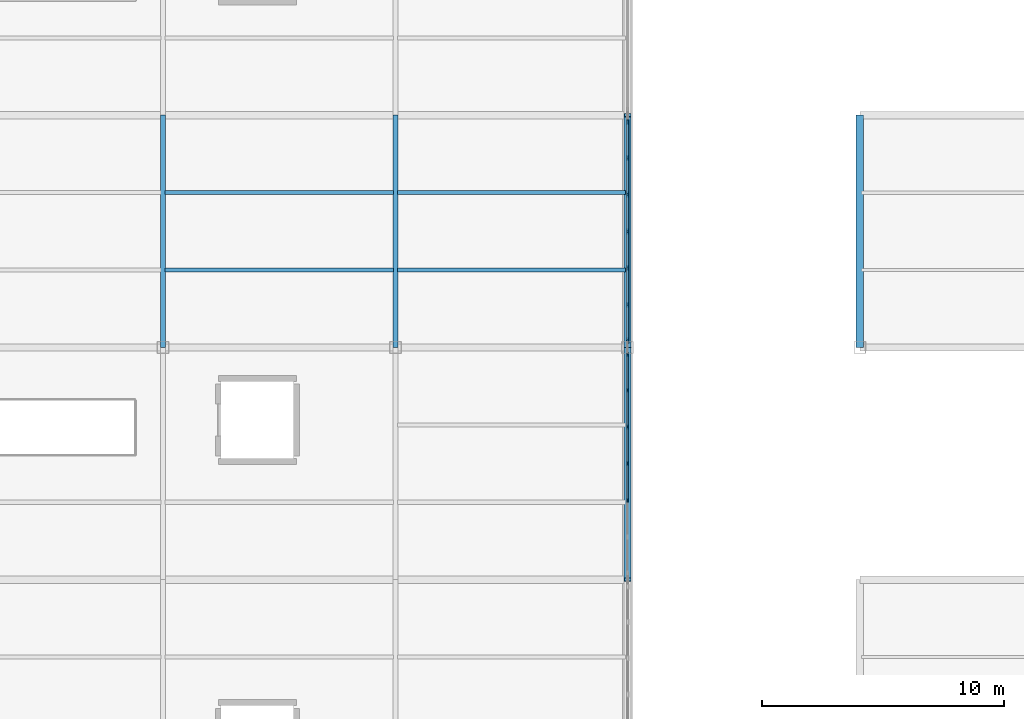
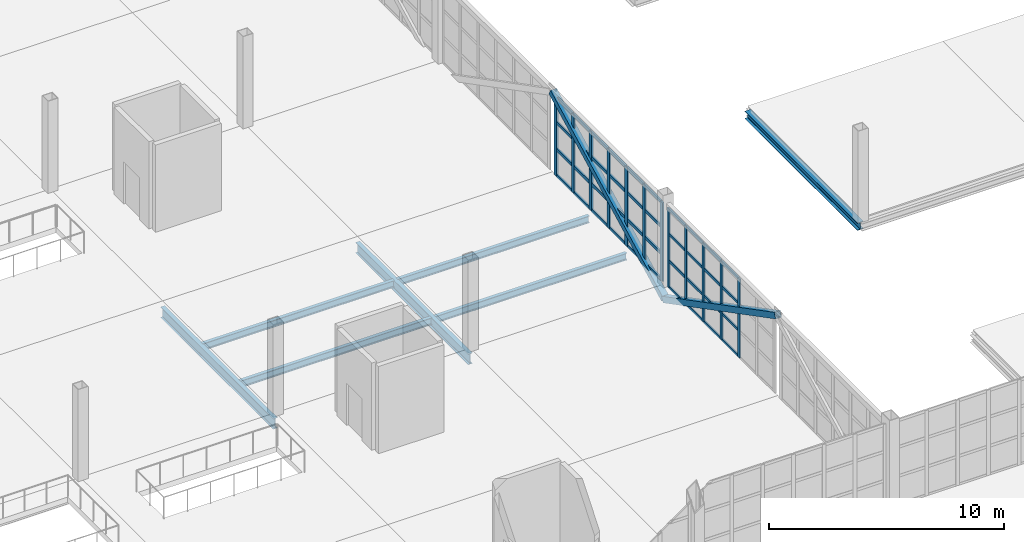
# One storey, part 49 of 120: 54 members, 7 beams, 2 elements without a shape of their own.
"""IFC4 building model written with IfcOpenShell, lengths in metres."""

from ifc_helpers import new_model, si_unit, direction, frame, origin, origin_2d, place, context, subcontext, project, spatial, rectangle, hollow_rectangle, i_section, extrude, material, layer, layer_set, material_profile, profile_set, type_object, element, aggregate, save


model = new_model("IFC4")

# Units and contexts
model_context = context("Model", 3, precision=1e-05, world=origin(), true_north=direction((0.0, 1.0)))
body_context = subcontext(model_context, "Body", "Model", "MODEL_VIEW")
ifc_project = project(units=[si_unit("LENGTHUNIT", "METRE"), si_unit("AREAUNIT", "SQUARE_METRE"), si_unit("VOLUMEUNIT", "CUBIC_METRE"), si_unit("PLANEANGLEUNIT", "RADIAN"), si_unit("MASSUNIT", "GRAM", prefix="KILO")], contexts=[model_context])

# Site, building, storey
site_placement = place(None, origin())
site = spatial("IfcSite", under=ifc_project, at=site_placement, CompositionType="ELEMENT")
building_placement = place(site_placement, origin())
building = spatial("IfcBuilding", under=site, at=building_placement, Name="Zarnetskaya Central Station", CompositionType="ELEMENT")
storey_placement = place(building_placement, frame((0.0, 0.0, 5.39990234375)))
storey = spatial("IfcBuildingStorey", under=building, at=storey_placement, Name="L01", CompositionType="ELEMENT", Elevation=5.39990234375)

# Beams
ifc_material_1 = material(Name="Steel S355", Category="steel")
ifc_material_profile_1 = material_profile(ifc_material_1, i_section(OverallWidth=0.169921875, OverallDepth=0.360107421875, WebThickness=0.008056640625, FlangeThickness=0.0126953125, FilletRadius=0.01806640625, at=origin_2d()), Name="IPE 360")
ifc_profile_set_1 = profile_set([ifc_material_profile_1], Name="Steel S355")
beam_type_1 = type_object("IfcBeamType", Name="BM-SEC-360", PredefinedType="BEAM", material=ifc_profile_set_1)
for number, where, z_axis, x_axis, name in (
    (1, (96.080078125, 89.60009765625, -0.4599609375), (1.0, 0.0, 0.0), (0.0, 1.0, 0.0), "Secondary floor beam SEC-L01-Z512-LM-1112-1"),
    (2, (96.080078125, 92.800048828125, -0.4599609375), (1.0, 0.0, 0.0), (0.0, 1.0, 0.0), "Secondary floor beam SEC-L01-Z512-LM-1112-2"),
):
    element("IfcBeam", number, at=place(storey_placement, frame(where, z_axis=z_axis, x_axis=x_axis)), inside=storey, type_object=beam_type_1, Name=name, PredefinedType="BEAM", context=body_context, shape_type="SweptSolid", body=[
        extrude(i_section(OverallWidth=0.169921875, OverallDepth=0.360107421875, WebThickness=0.008056640625, FlangeThickness=0.0126953125, FilletRadius=0.01806640625, at=origin_2d()), origin(), (0.0, 0.0, 1.0), 9.43994140625),
    ])
for number, where, z_axis, x_axis, name in (
    (3, (105.679931640625, 89.60009765625, -0.4599609375), (1.0, 0.0, 0.0), (0.0, 1.0, 0.0), "Secondary floor beam SEC-L01-Z512-MN-1112-1"),
    (4, (105.679931640625, 92.800048828125, -0.4599609375), (1.0, 0.0, 0.0), (0.0, 1.0, 0.0), "Secondary floor beam SEC-L01-Z512-MN-1112-2"),
):
    element("IfcBeam", number, at=place(storey_placement, frame(where, z_axis=z_axis, x_axis=x_axis)), inside=storey, type_object=beam_type_1, Name=name, PredefinedType="BEAM", context=body_context, shape_type="SweptSolid", body=[
        extrude(i_section(OverallWidth=0.169921875, OverallDepth=0.360107421875, WebThickness=0.008056640625, FlangeThickness=0.0126953125, FilletRadius=0.01806640625, at=origin_2d()), origin(), (0.0, 0.0, 1.0), 9.440185546875),
    ])

# Curtain wall, members
ifc_material_2 = material(Name="Low-E insulated glass", Category="glass")
ifc_layer = layer(ifc_material_2, 0.172119140625, Name="Low-E insulated glass", Category="glass")
ifc_layer_set = layer_set([ifc_layer], Name="Low-E insulated glass")
curtain_wall_type = type_object("IfcCurtainWallType", Name="CW-SYS-09", PredefinedType="USERDEFINED", material=ifc_layer_set)
curtain_wall_1_placement = place(storey_placement, origin())
curtain_wall_1 = element("IfcCurtainWall", 5, at=curtain_wall_1_placement, inside=storey, type_object=curtain_wall_type, Name="Curtain wall CW-L01-161", ObjectType="CURTAIN WALL", PredefinedType="USERDEFINED")
ifc_material_3 = material(Name="Anodised aluminium", Category="aluminium")
ifc_material_profile_2 = material_profile(ifc_material_3, rectangle(XDim=0.070068359375, YDim=0.179931640625, at=origin_2d()), Name="ALU MULL 70x180")
ifc_profile_set_2 = profile_set([ifc_material_profile_2], Name="Anodised aluminium")
member_type_1 = type_object("IfcMemberType", Name="CW-MULL-180", PredefinedType="MULLION", material=ifc_profile_set_2)
member_1_placement = place(storey_placement, frame((115.199951171875, 86.114990234375, 0.0), z_axis=(0.0, 0.0, 1.0), x_axis=(1.0, 0.0, 0.0)))
member_1 = element("IfcMember", 6, at=member_1_placement, type_object=member_type_1, Name="CW-07 mullion 1", PredefinedType="MULLION", context=body_context, shape_type="SweptSolid", body=[
    extrude(rectangle(XDim=0.070068359375, YDim=0.179931640625, at=origin_2d()), origin(), (0.0, 0.0, 1.0), 4.10009765625),
])
member_2_placement = place(storey_placement, frame((115.199951171875, 84.63330078125, 0.0), z_axis=(0.0, 0.0, 1.0), x_axis=(1.0, 0.0, 0.0)))
member_2 = element("IfcMember", 7, at=member_2_placement, type_object=member_type_1, Name="CW-07 mullion 2", PredefinedType="MULLION", context=body_context, shape_type="SweptSolid", body=[
    extrude(rectangle(XDim=0.070068359375, YDim=0.179931640625, at=origin_2d()), origin(), (0.0, 0.0, 1.0), 4.10009765625),
])
member_3_placement = place(storey_placement, frame((115.199951171875, 83.11669921875, 0.0), z_axis=(0.0, 0.0, 1.0), x_axis=(1.0, 0.0, 0.0)))
member_3 = element("IfcMember", 8, at=member_3_placement, type_object=member_type_1, Name="CW-07 mullion 3", PredefinedType="MULLION", context=body_context, shape_type="SweptSolid", body=[
    extrude(rectangle(XDim=0.070068359375, YDim=0.179931640625, at=origin_2d()), origin(), (0.0, 0.0, 1.0), 4.10009765625),
])
member_4_placement = place(storey_placement, frame((115.199951171875, 81.60009765625, 0.0), z_axis=(0.0, 0.0, 1.0), x_axis=(1.0, 0.0, 0.0)))
member_4 = element("IfcMember", 9, at=member_4_placement, type_object=member_type_1, Name="CW-07 mullion 4", PredefinedType="MULLION", context=body_context, shape_type="SweptSolid", body=[
    extrude(rectangle(XDim=0.070068359375, YDim=0.179931640625, at=origin_2d()), origin(), (0.0, 0.0, 1.0), 4.10009765625),
])
member_5_placement = place(storey_placement, frame((115.199951171875, 80.083251953125, 0.0), z_axis=(0.0, 0.0, 1.0), x_axis=(1.0, 0.0, 0.0)))
member_5 = element("IfcMember", 10, at=member_5_placement, type_object=member_type_1, Name="CW-07 mullion 5", PredefinedType="MULLION", context=body_context, shape_type="SweptSolid", body=[
    extrude(rectangle(XDim=0.070068359375, YDim=0.179931640625, at=origin_2d()), origin(), (0.0, 0.0, 1.0), 4.10009765625),
])

curtain_wall_2_placement = place(storey_placement, origin())
curtain_wall_2 = element("IfcCurtainWall", 11, at=curtain_wall_2_placement, inside=storey, type_object=curtain_wall_type, Name="Curtain wall CW-L01-160", ObjectType="CURTAIN WALL", PredefinedType="USERDEFINED")
ifc_material_profile_3 = material_profile(ifc_material_3, rectangle(XDim=0.080078125, YDim=0.219970703125, at=origin_2d()), Name="ALU MULL 80x220")
ifc_profile_set_3 = profile_set([ifc_material_profile_3], Name="Anodised aluminium")
member_type_2 = type_object("IfcMemberType", Name="CW-MULL-220", PredefinedType="MULLION", material=ifc_profile_set_3)
member_6_placement = place(storey_placement, frame((115.199951171875, 95.7099609375, 0.0), z_axis=(0.0, 0.0, 1.0), x_axis=(1.0, 0.0, 0.0)))
member_6 = element("IfcMember", 12, at=member_6_placement, type_object=member_type_2, Name="CW-07 mullion 1", PredefinedType="MULLION", context=body_context, shape_type="SweptSolid", body=[
    extrude(rectangle(XDim=0.080078125, YDim=0.219970703125, at=origin_2d()), origin(), (0.0, 0.0, 1.0), 4.10009765625),
])
member_7_placement = place(storey_placement, frame((115.199951171875, 94.2333984375, 0.0), z_axis=(0.0, 0.0, 1.0), x_axis=(1.0, 0.0, 0.0)))
member_7 = element("IfcMember", 13, at=member_7_placement, type_object=member_type_2, Name="CW-07 mullion 2", PredefinedType="MULLION", context=body_context, shape_type="SweptSolid", body=[
    extrude(rectangle(XDim=0.080078125, YDim=0.219970703125, at=origin_2d()), origin(), (0.0, 0.0, 1.0), 4.10009765625),
])
member_8_placement = place(storey_placement, frame((115.199951171875, 92.716552734375, 0.0), z_axis=(0.0, 0.0, 1.0), x_axis=(1.0, 0.0, 0.0)))
member_8 = element("IfcMember", 14, at=member_8_placement, type_object=member_type_2, Name="CW-07 mullion 3", PredefinedType="MULLION", context=body_context, shape_type="SweptSolid", body=[
    extrude(rectangle(XDim=0.080078125, YDim=0.219970703125, at=origin_2d()), origin(), (0.0, 0.0, 1.0), 4.10009765625),
])
member_9_placement = place(storey_placement, frame((115.199951171875, 91.199951171875, 0.0), z_axis=(0.0, 0.0, 1.0), x_axis=(1.0, 0.0, 0.0)))
member_9 = element("IfcMember", 15, at=member_9_placement, type_object=member_type_2, Name="CW-07 mullion 4", PredefinedType="MULLION", context=body_context, shape_type="SweptSolid", body=[
    extrude(rectangle(XDim=0.080078125, YDim=0.219970703125, at=origin_2d()), origin(), (0.0, 0.0, 1.0), 4.10009765625),
])
member_10_placement = place(storey_placement, frame((115.199951171875, 89.683349609375, 0.0), z_axis=(0.0, 0.0, 1.0), x_axis=(1.0, 0.0, 0.0)))
member_10 = element("IfcMember", 16, at=member_10_placement, type_object=member_type_2, Name="CW-07 mullion 5", PredefinedType="MULLION", context=body_context, shape_type="SweptSolid", body=[
    extrude(rectangle(XDim=0.080078125, YDim=0.219970703125, at=origin_2d()), origin(), (0.0, 0.0, 1.0), 4.10009765625),
])
member_11_placement = place(storey_placement, frame((115.199951171875, 88.166748046875, 0.0), z_axis=(0.0, 0.0, 1.0), x_axis=(1.0, 0.0, 0.0)))
member_11 = element("IfcMember", 17, at=member_11_placement, type_object=member_type_2, Name="CW-07 mullion 6", PredefinedType="MULLION", context=body_context, shape_type="SweptSolid", body=[
    extrude(rectangle(XDim=0.080078125, YDim=0.219970703125, at=origin_2d()), origin(), (0.0, 0.0, 1.0), 4.10009765625),
])
member_12_placement = place(storey_placement, frame((115.199951171875, 86.68994140625, 0.0), z_axis=(0.0, 0.0, 1.0), x_axis=(1.0, 0.0, 0.0)))
member_12 = element("IfcMember", 18, at=member_12_placement, type_object=member_type_2, Name="CW-07 mullion 7", PredefinedType="MULLION", context=body_context, shape_type="SweptSolid", body=[
    extrude(rectangle(XDim=0.080078125, YDim=0.219970703125, at=origin_2d()), origin(), (0.0, 0.0, 1.0), 4.10009765625),
])

# Member
ifc_material_profile_4 = material_profile(ifc_material_3, rectangle(XDim=0.070068359375, YDim=0.139892578125, at=origin_2d()), Name="ALU TRAN 70x140")
ifc_profile_set_4 = profile_set([ifc_material_profile_4], Name="Anodised aluminium")
member_type_3 = type_object("IfcMemberType", Name="CW-TRAN-140", PredefinedType="USERDEFINED", material=ifc_profile_set_4)
member_13_placement = place(storey_placement, frame((115.199951171875, 86.080078125, 0.03515625), z_axis=(0.0, -1.0, 0.0), x_axis=(1.0, 0.0, 0.0)))
member_13 = element("IfcMember", 19, at=member_13_placement, type_object=member_type_3, Name="CW-07 transom 1.1", ObjectType="TRANSOM", PredefinedType="USERDEFINED", context=body_context, shape_type="SweptSolid", body=[
    extrude(rectangle(XDim=0.070068359375, YDim=0.139892578125, at=origin_2d()), origin(), (0.0, 0.0, 1.0), 1.411865234375),
])

member_14_placement = place(storey_placement, frame((115.199951171875, 86.080078125, 1.39404296875), z_axis=(0.0, -1.0, 0.0), x_axis=(1.0, 0.0, 0.0)))
member_14 = element("IfcMember", 20, at=member_14_placement, type_object=member_type_3, Name="CW-07 transom 1.2", ObjectType="TRANSOM", PredefinedType="USERDEFINED", context=body_context, shape_type="SweptSolid", body=[
    extrude(rectangle(XDim=0.070068359375, YDim=0.139892578125, at=origin_2d()), origin(), (0.0, 0.0, 1.0), 1.411865234375),
])

member_15_placement = place(storey_placement, frame((115.199951171875, 86.080078125, 2.7880859375), z_axis=(0.0, -1.0, 0.0), x_axis=(1.0, 0.0, 0.0)))
member_15 = element("IfcMember", 21, at=member_15_placement, type_object=member_type_3, Name="CW-07 transom 1.3", ObjectType="TRANSOM", PredefinedType="USERDEFINED", context=body_context, shape_type="SweptSolid", body=[
    extrude(rectangle(XDim=0.070068359375, YDim=0.139892578125, at=origin_2d()), origin(), (0.0, 0.0, 1.0), 1.411865234375),
])

member_16_placement = place(storey_placement, frame((115.199951171875, 86.080078125, 4.065185546875), z_axis=(0.0, -1.0, 0.0), x_axis=(1.0, 0.0, 0.0)))
member_16 = element("IfcMember", 22, at=member_16_placement, type_object=member_type_3, Name="CW-07 transom 1.4", ObjectType="TRANSOM", PredefinedType="USERDEFINED", context=body_context, shape_type="SweptSolid", body=[
    extrude(rectangle(XDim=0.070068359375, YDim=0.139892578125, at=origin_2d()), origin(), (0.0, 0.0, 1.0), 1.411865234375),
])

member_17_placement = place(storey_placement, frame((115.199951171875, 84.598388671875, 0.03515625), z_axis=(0.0, -1.0, 0.0), x_axis=(1.0, 0.0, 0.0)))
member_17 = element("IfcMember", 23, at=member_17_placement, type_object=member_type_3, Name="CW-07 transom 2.1", ObjectType="TRANSOM", PredefinedType="USERDEFINED", context=body_context, shape_type="SweptSolid", body=[
    extrude(rectangle(XDim=0.070068359375, YDim=0.139892578125, at=origin_2d()), origin(), (0.0, 0.0, 1.0), 1.44677734375),
])

member_18_placement = place(storey_placement, frame((115.199951171875, 84.598388671875, 1.39404296875), z_axis=(0.0, -1.0, 0.0), x_axis=(1.0, 0.0, 0.0)))
member_18 = element("IfcMember", 24, at=member_18_placement, type_object=member_type_3, Name="CW-07 transom 2.2", ObjectType="TRANSOM", PredefinedType="USERDEFINED", context=body_context, shape_type="SweptSolid", body=[
    extrude(rectangle(XDim=0.070068359375, YDim=0.139892578125, at=origin_2d()), origin(), (0.0, 0.0, 1.0), 1.44677734375),
])

member_19_placement = place(storey_placement, frame((115.199951171875, 84.598388671875, 2.7880859375), z_axis=(0.0, -1.0, 0.0), x_axis=(1.0, 0.0, 0.0)))
member_19 = element("IfcMember", 25, at=member_19_placement, type_object=member_type_3, Name="CW-07 transom 2.3", ObjectType="TRANSOM", PredefinedType="USERDEFINED", context=body_context, shape_type="SweptSolid", body=[
    extrude(rectangle(XDim=0.070068359375, YDim=0.139892578125, at=origin_2d()), origin(), (0.0, 0.0, 1.0), 1.44677734375),
])

member_20_placement = place(storey_placement, frame((115.199951171875, 84.598388671875, 4.065185546875), z_axis=(0.0, -1.0, 0.0), x_axis=(1.0, 0.0, 0.0)))
member_20 = element("IfcMember", 26, at=member_20_placement, type_object=member_type_3, Name="CW-07 transom 2.4", ObjectType="TRANSOM", PredefinedType="USERDEFINED", context=body_context, shape_type="SweptSolid", body=[
    extrude(rectangle(XDim=0.070068359375, YDim=0.139892578125, at=origin_2d()), origin(), (0.0, 0.0, 1.0), 1.44677734375),
])

member_21_placement = place(storey_placement, frame((115.199951171875, 83.081787109375, 0.03515625), z_axis=(0.0, -1.0, 0.0), x_axis=(1.0, 0.0, 0.0)))
member_21 = element("IfcMember", 27, at=member_21_placement, type_object=member_type_3, Name="CW-07 transom 3.1", ObjectType="TRANSOM", PredefinedType="USERDEFINED", context=body_context, shape_type="SweptSolid", body=[
    extrude(rectangle(XDim=0.070068359375, YDim=0.139892578125, at=origin_2d()), origin(), (0.0, 0.0, 1.0), 1.44677734375),
])

member_22_placement = place(storey_placement, frame((115.199951171875, 83.081787109375, 1.39404296875), z_axis=(0.0, -1.0, 0.0), x_axis=(1.0, 0.0, 0.0)))
member_22 = element("IfcMember", 28, at=member_22_placement, type_object=member_type_3, Name="CW-07 transom 3.2", ObjectType="TRANSOM", PredefinedType="USERDEFINED", context=body_context, shape_type="SweptSolid", body=[
    extrude(rectangle(XDim=0.070068359375, YDim=0.139892578125, at=origin_2d()), origin(), (0.0, 0.0, 1.0), 1.44677734375),
])

member_23_placement = place(storey_placement, frame((115.199951171875, 83.081787109375, 2.7880859375), z_axis=(0.0, -1.0, 0.0), x_axis=(1.0, 0.0, 0.0)))
member_23 = element("IfcMember", 29, at=member_23_placement, type_object=member_type_3, Name="CW-07 transom 3.3", ObjectType="TRANSOM", PredefinedType="USERDEFINED", context=body_context, shape_type="SweptSolid", body=[
    extrude(rectangle(XDim=0.070068359375, YDim=0.139892578125, at=origin_2d()), origin(), (0.0, 0.0, 1.0), 1.44677734375),
])

member_24_placement = place(storey_placement, frame((115.199951171875, 83.081787109375, 4.065185546875), z_axis=(0.0, -1.0, 0.0), x_axis=(1.0, 0.0, 0.0)))
member_24 = element("IfcMember", 30, at=member_24_placement, type_object=member_type_3, Name="CW-07 transom 3.4", ObjectType="TRANSOM", PredefinedType="USERDEFINED", context=body_context, shape_type="SweptSolid", body=[
    extrude(rectangle(XDim=0.070068359375, YDim=0.139892578125, at=origin_2d()), origin(), (0.0, 0.0, 1.0), 1.44677734375),
])

member_25_placement = place(storey_placement, frame((115.199951171875, 81.56494140625, 0.03515625), z_axis=(0.0, -1.0, 0.0), x_axis=(1.0, 0.0, 0.0)))
member_25 = element("IfcMember", 31, at=member_25_placement, type_object=member_type_3, Name="CW-07 transom 4.1", ObjectType="TRANSOM", PredefinedType="USERDEFINED", context=body_context, shape_type="SweptSolid", body=[
    extrude(rectangle(XDim=0.070068359375, YDim=0.139892578125, at=origin_2d()), origin(), (0.0, 0.0, 1.0), 1.446533203125),
])

member_26_placement = place(storey_placement, frame((115.199951171875, 81.56494140625, 1.39404296875), z_axis=(0.0, -1.0, 0.0), x_axis=(1.0, 0.0, 0.0)))
member_26 = element("IfcMember", 32, at=member_26_placement, type_object=member_type_3, Name="CW-07 transom 4.2", ObjectType="TRANSOM", PredefinedType="USERDEFINED", context=body_context, shape_type="SweptSolid", body=[
    extrude(rectangle(XDim=0.070068359375, YDim=0.139892578125, at=origin_2d()), origin(), (0.0, 0.0, 1.0), 1.446533203125),
])

member_27_placement = place(storey_placement, frame((115.199951171875, 81.56494140625, 2.7880859375), z_axis=(0.0, -1.0, 0.0), x_axis=(1.0, 0.0, 0.0)))
member_27 = element("IfcMember", 33, at=member_27_placement, type_object=member_type_3, Name="CW-07 transom 4.3", ObjectType="TRANSOM", PredefinedType="USERDEFINED", context=body_context, shape_type="SweptSolid", body=[
    extrude(rectangle(XDim=0.070068359375, YDim=0.139892578125, at=origin_2d()), origin(), (0.0, 0.0, 1.0), 1.446533203125),
])

member_28_placement = place(storey_placement, frame((115.199951171875, 81.56494140625, 4.065185546875), z_axis=(0.0, -1.0, 0.0), x_axis=(1.0, 0.0, 0.0)))
member_28 = element("IfcMember", 34, at=member_28_placement, type_object=member_type_3, Name="CW-07 transom 4.4", ObjectType="TRANSOM", PredefinedType="USERDEFINED", context=body_context, shape_type="SweptSolid", body=[
    extrude(rectangle(XDim=0.070068359375, YDim=0.139892578125, at=origin_2d()), origin(), (0.0, 0.0, 1.0), 1.446533203125),
])

aggregate(curtain_wall_1, [member_1, member_2, member_3, member_4, member_5, member_13, member_14, member_15, member_16, member_17, member_18, member_19, member_20, member_21, member_22, member_23, member_24, member_25, member_26, member_27, member_28])

ifc_material_profile_5 = material_profile(ifc_material_3, rectangle(XDim=0.080078125, YDim=0.159912109375, at=origin_2d()), Name="ALU TRAN 80x160")
ifc_profile_set_5 = profile_set([ifc_material_profile_5], Name="Anodised aluminium")
member_type_4 = type_object("IfcMemberType", Name="CW-TRAN-160", PredefinedType="USERDEFINED", material=ifc_profile_set_5)
member_29_placement = place(storey_placement, frame((115.199951171875, 95.669921875, 0.0400390625), z_axis=(0.0, -1.0, 0.0), x_axis=(1.0, 0.0, 0.0)))
member_29 = element("IfcMember", 35, at=member_29_placement, type_object=member_type_4, Name="CW-07 transom 1.1", ObjectType="TRANSOM", PredefinedType="USERDEFINED", context=body_context, shape_type="SweptSolid", body=[
    extrude(rectangle(XDim=0.080078125, YDim=0.159912109375, at=origin_2d()), origin(), (0.0, 0.0, 1.0), 1.396484375),
])

member_30_placement = place(storey_placement, frame((115.199951171875, 95.669921875, 1.39404296875), z_axis=(0.0, -1.0, 0.0), x_axis=(1.0, 0.0, 0.0)))
member_30 = element("IfcMember", 36, at=member_30_placement, type_object=member_type_4, Name="CW-07 transom 1.2", ObjectType="TRANSOM", PredefinedType="USERDEFINED", context=body_context, shape_type="SweptSolid", body=[
    extrude(rectangle(XDim=0.080078125, YDim=0.159912109375, at=origin_2d()), origin(), (0.0, 0.0, 1.0), 1.396484375),
])

member_31_placement = place(storey_placement, frame((115.199951171875, 95.669921875, 2.7880859375), z_axis=(0.0, -1.0, 0.0), x_axis=(1.0, 0.0, 0.0)))
member_31 = element("IfcMember", 37, at=member_31_placement, type_object=member_type_4, Name="CW-07 transom 1.3", ObjectType="TRANSOM", PredefinedType="USERDEFINED", context=body_context, shape_type="SweptSolid", body=[
    extrude(rectangle(XDim=0.080078125, YDim=0.159912109375, at=origin_2d()), origin(), (0.0, 0.0, 1.0), 1.396484375),
])

member_32_placement = place(storey_placement, frame((115.199951171875, 95.669921875, 4.06005859375), z_axis=(0.0, -1.0, 0.0), x_axis=(1.0, 0.0, 0.0)))
member_32 = element("IfcMember", 38, at=member_32_placement, type_object=member_type_4, Name="CW-07 transom 1.4", ObjectType="TRANSOM", PredefinedType="USERDEFINED", context=body_context, shape_type="SweptSolid", body=[
    extrude(rectangle(XDim=0.080078125, YDim=0.159912109375, at=origin_2d()), origin(), (0.0, 0.0, 1.0), 1.396484375),
])

member_33_placement = place(storey_placement, frame((115.199951171875, 94.193359375, 0.0400390625), z_axis=(0.0, -1.0, 0.0), x_axis=(1.0, 0.0, 0.0)))
member_33 = element("IfcMember", 39, at=member_33_placement, type_object=member_type_4, Name="CW-07 transom 2.1", ObjectType="TRANSOM", PredefinedType="USERDEFINED", context=body_context, shape_type="SweptSolid", body=[
    extrude(rectangle(XDim=0.080078125, YDim=0.159912109375, at=origin_2d()), origin(), (0.0, 0.0, 1.0), 1.436767578125),
])

member_34_placement = place(storey_placement, frame((115.199951171875, 94.193359375, 1.39404296875), z_axis=(0.0, -1.0, 0.0), x_axis=(1.0, 0.0, 0.0)))
member_34 = element("IfcMember", 40, at=member_34_placement, type_object=member_type_4, Name="CW-07 transom 2.2", ObjectType="TRANSOM", PredefinedType="USERDEFINED", context=body_context, shape_type="SweptSolid", body=[
    extrude(rectangle(XDim=0.080078125, YDim=0.159912109375, at=origin_2d()), origin(), (0.0, 0.0, 1.0), 1.436767578125),
])

member_35_placement = place(storey_placement, frame((115.199951171875, 94.193359375, 2.7880859375), z_axis=(0.0, -1.0, 0.0), x_axis=(1.0, 0.0, 0.0)))
member_35 = element("IfcMember", 41, at=member_35_placement, type_object=member_type_4, Name="CW-07 transom 2.3", ObjectType="TRANSOM", PredefinedType="USERDEFINED", context=body_context, shape_type="SweptSolid", body=[
    extrude(rectangle(XDim=0.080078125, YDim=0.159912109375, at=origin_2d()), origin(), (0.0, 0.0, 1.0), 1.436767578125),
])

member_36_placement = place(storey_placement, frame((115.199951171875, 94.193359375, 4.06005859375), z_axis=(0.0, -1.0, 0.0), x_axis=(1.0, 0.0, 0.0)))
member_36 = element("IfcMember", 42, at=member_36_placement, type_object=member_type_4, Name="CW-07 transom 2.4", ObjectType="TRANSOM", PredefinedType="USERDEFINED", context=body_context, shape_type="SweptSolid", body=[
    extrude(rectangle(XDim=0.080078125, YDim=0.159912109375, at=origin_2d()), origin(), (0.0, 0.0, 1.0), 1.436767578125),
])

member_37_placement = place(storey_placement, frame((115.199951171875, 92.6767578125, 0.0400390625), z_axis=(0.0, -1.0, 0.0), x_axis=(1.0, 0.0, 0.0)))
member_37 = element("IfcMember", 43, at=member_37_placement, type_object=member_type_4, Name="CW-07 transom 3.1", ObjectType="TRANSOM", PredefinedType="USERDEFINED", context=body_context, shape_type="SweptSolid", body=[
    extrude(rectangle(XDim=0.080078125, YDim=0.159912109375, at=origin_2d()), origin(), (0.0, 0.0, 1.0), 1.436767578125),
])

member_38_placement = place(storey_placement, frame((115.199951171875, 92.6767578125, 1.39404296875), z_axis=(0.0, -1.0, 0.0), x_axis=(1.0, 0.0, 0.0)))
member_38 = element("IfcMember", 44, at=member_38_placement, type_object=member_type_4, Name="CW-07 transom 3.2", ObjectType="TRANSOM", PredefinedType="USERDEFINED", context=body_context, shape_type="SweptSolid", body=[
    extrude(rectangle(XDim=0.080078125, YDim=0.159912109375, at=origin_2d()), origin(), (0.0, 0.0, 1.0), 1.436767578125),
])

member_39_placement = place(storey_placement, frame((115.199951171875, 92.6767578125, 2.7880859375), z_axis=(0.0, -1.0, 0.0), x_axis=(1.0, 0.0, 0.0)))
member_39 = element("IfcMember", 45, at=member_39_placement, type_object=member_type_4, Name="CW-07 transom 3.3", ObjectType="TRANSOM", PredefinedType="USERDEFINED", context=body_context, shape_type="SweptSolid", body=[
    extrude(rectangle(XDim=0.080078125, YDim=0.159912109375, at=origin_2d()), origin(), (0.0, 0.0, 1.0), 1.436767578125),
])

member_40_placement = place(storey_placement, frame((115.199951171875, 92.6767578125, 4.06005859375), z_axis=(0.0, -1.0, 0.0), x_axis=(1.0, 0.0, 0.0)))
member_40 = element("IfcMember", 46, at=member_40_placement, type_object=member_type_4, Name="CW-07 transom 3.4", ObjectType="TRANSOM", PredefinedType="USERDEFINED", context=body_context, shape_type="SweptSolid", body=[
    extrude(rectangle(XDim=0.080078125, YDim=0.159912109375, at=origin_2d()), origin(), (0.0, 0.0, 1.0), 1.436767578125),
])

member_41_placement = place(storey_placement, frame((115.199951171875, 91.159912109375, 0.0400390625), z_axis=(0.0, -1.0, 0.0), x_axis=(1.0, 0.0, 0.0)))
member_41 = element("IfcMember", 47, at=member_41_placement, type_object=member_type_4, Name="CW-07 transom 4.1", ObjectType="TRANSOM", PredefinedType="USERDEFINED", context=body_context, shape_type="SweptSolid", body=[
    extrude(rectangle(XDim=0.080078125, YDim=0.159912109375, at=origin_2d()), origin(), (0.0, 0.0, 1.0), 1.4365234375),
])

member_42_placement = place(storey_placement, frame((115.199951171875, 91.159912109375, 1.39404296875), z_axis=(0.0, -1.0, 0.0), x_axis=(1.0, 0.0, 0.0)))
member_42 = element("IfcMember", 48, at=member_42_placement, type_object=member_type_4, Name="CW-07 transom 4.2", ObjectType="TRANSOM", PredefinedType="USERDEFINED", context=body_context, shape_type="SweptSolid", body=[
    extrude(rectangle(XDim=0.080078125, YDim=0.159912109375, at=origin_2d()), origin(), (0.0, 0.0, 1.0), 1.4365234375),
])

member_43_placement = place(storey_placement, frame((115.199951171875, 91.159912109375, 2.7880859375), z_axis=(0.0, -1.0, 0.0), x_axis=(1.0, 0.0, 0.0)))
member_43 = element("IfcMember", 49, at=member_43_placement, type_object=member_type_4, Name="CW-07 transom 4.3", ObjectType="TRANSOM", PredefinedType="USERDEFINED", context=body_context, shape_type="SweptSolid", body=[
    extrude(rectangle(XDim=0.080078125, YDim=0.159912109375, at=origin_2d()), origin(), (0.0, 0.0, 1.0), 1.4365234375),
])

member_44_placement = place(storey_placement, frame((115.199951171875, 91.159912109375, 4.06005859375), z_axis=(0.0, -1.0, 0.0), x_axis=(1.0, 0.0, 0.0)))
member_44 = element("IfcMember", 50, at=member_44_placement, type_object=member_type_4, Name="CW-07 transom 4.4", ObjectType="TRANSOM", PredefinedType="USERDEFINED", context=body_context, shape_type="SweptSolid", body=[
    extrude(rectangle(XDim=0.080078125, YDim=0.159912109375, at=origin_2d()), origin(), (0.0, 0.0, 1.0), 1.4365234375),
])

member_45_placement = place(storey_placement, frame((115.199951171875, 89.643310546875, 0.0400390625), z_axis=(0.0, -1.0, 0.0), x_axis=(1.0, 0.0, 0.0)))
member_45 = element("IfcMember", 51, at=member_45_placement, type_object=member_type_4, Name="CW-07 transom 5.1", ObjectType="TRANSOM", PredefinedType="USERDEFINED", context=body_context, shape_type="SweptSolid", body=[
    extrude(rectangle(XDim=0.080078125, YDim=0.159912109375, at=origin_2d()), origin(), (0.0, 0.0, 1.0), 1.4365234375),
])

member_46_placement = place(storey_placement, frame((115.199951171875, 89.643310546875, 1.39404296875), z_axis=(0.0, -1.0, 0.0), x_axis=(1.0, 0.0, 0.0)))
member_46 = element("IfcMember", 52, at=member_46_placement, type_object=member_type_4, Name="CW-07 transom 5.2", ObjectType="TRANSOM", PredefinedType="USERDEFINED", context=body_context, shape_type="SweptSolid", body=[
    extrude(rectangle(XDim=0.080078125, YDim=0.159912109375, at=origin_2d()), origin(), (0.0, 0.0, 1.0), 1.4365234375),
])

member_47_placement = place(storey_placement, frame((115.199951171875, 89.643310546875, 2.7880859375), z_axis=(0.0, -1.0, 0.0), x_axis=(1.0, 0.0, 0.0)))
member_47 = element("IfcMember", 53, at=member_47_placement, type_object=member_type_4, Name="CW-07 transom 5.3", ObjectType="TRANSOM", PredefinedType="USERDEFINED", context=body_context, shape_type="SweptSolid", body=[
    extrude(rectangle(XDim=0.080078125, YDim=0.159912109375, at=origin_2d()), origin(), (0.0, 0.0, 1.0), 1.4365234375),
])

member_48_placement = place(storey_placement, frame((115.199951171875, 89.643310546875, 4.06005859375), z_axis=(0.0, -1.0, 0.0), x_axis=(1.0, 0.0, 0.0)))
member_48 = element("IfcMember", 54, at=member_48_placement, type_object=member_type_4, Name="CW-07 transom 5.4", ObjectType="TRANSOM", PredefinedType="USERDEFINED", context=body_context, shape_type="SweptSolid", body=[
    extrude(rectangle(XDim=0.080078125, YDim=0.159912109375, at=origin_2d()), origin(), (0.0, 0.0, 1.0), 1.4365234375),
])

member_49_placement = place(storey_placement, frame((115.199951171875, 88.126708984375, 0.0400390625), z_axis=(0.0, -1.0, 0.0), x_axis=(1.0, 0.0, 0.0)))
member_49 = element("IfcMember", 55, at=member_49_placement, type_object=member_type_4, Name="CW-07 transom 6.1", ObjectType="TRANSOM", PredefinedType="USERDEFINED", context=body_context, shape_type="SweptSolid", body=[
    extrude(rectangle(XDim=0.080078125, YDim=0.159912109375, at=origin_2d()), origin(), (0.0, 0.0, 1.0), 1.396728515625),
])

member_50_placement = place(storey_placement, frame((115.199951171875, 88.126708984375, 1.39404296875), z_axis=(0.0, -1.0, 0.0), x_axis=(1.0, 0.0, 0.0)))
member_50 = element("IfcMember", 56, at=member_50_placement, type_object=member_type_4, Name="CW-07 transom 6.2", ObjectType="TRANSOM", PredefinedType="USERDEFINED", context=body_context, shape_type="SweptSolid", body=[
    extrude(rectangle(XDim=0.080078125, YDim=0.159912109375, at=origin_2d()), origin(), (0.0, 0.0, 1.0), 1.396728515625),
])

member_51_placement = place(storey_placement, frame((115.199951171875, 88.126708984375, 2.7880859375), z_axis=(0.0, -1.0, 0.0), x_axis=(1.0, 0.0, 0.0)))
member_51 = element("IfcMember", 57, at=member_51_placement, type_object=member_type_4, Name="CW-07 transom 6.3", ObjectType="TRANSOM", PredefinedType="USERDEFINED", context=body_context, shape_type="SweptSolid", body=[
    extrude(rectangle(XDim=0.080078125, YDim=0.159912109375, at=origin_2d()), origin(), (0.0, 0.0, 1.0), 1.396728515625),
])

member_52_placement = place(storey_placement, frame((115.199951171875, 88.126708984375, 4.06005859375), z_axis=(0.0, -1.0, 0.0), x_axis=(1.0, 0.0, 0.0)))
member_52 = element("IfcMember", 58, at=member_52_placement, type_object=member_type_4, Name="CW-07 transom 6.4", ObjectType="TRANSOM", PredefinedType="USERDEFINED", context=body_context, shape_type="SweptSolid", body=[
    extrude(rectangle(XDim=0.080078125, YDim=0.159912109375, at=origin_2d()), origin(), (0.0, 0.0, 1.0), 1.396728515625),
])

aggregate(curtain_wall_2, [member_6, member_7, member_8, member_9, member_10, member_11, member_12, member_29, member_30, member_31, member_32, member_33, member_34, member_35, member_36, member_37, member_38, member_39, member_40, member_41, member_42, member_43, member_44, member_45, member_46, member_47, member_48, member_49, member_50, member_51, member_52])

# Beams
ifc_material_profile_6 = material_profile(ifc_material_1, i_section(OverallWidth=0.2099609375, OverallDepth=0.550048828125, WebThickness=0.010986328125, FlangeThickness=0.01708984375, FilletRadius=0.02392578125, at=origin_2d()), Name="IPE 550")
ifc_profile_set_6 = profile_set([ifc_material_profile_6], Name="Steel S355")
beam_type_2 = type_object("IfcBeamType", Name="GD-FLR-550", PredefinedType="USERDEFINED", material=ifc_profile_set_6)
for number, where, z_axis, x_axis, name in (
    (59, (96.0, 86.39990234375, -0.554931640625), (0.0, 1.0, 0.0), (-1.0, 0.0, 0.0), "Grid girder GY-L01-L-1112"),
    (60, (105.60009765625, 86.39990234375, -0.554931640625), (0.0, 1.0, 0.0), (-1.0, 0.0, 0.0), "Grid girder GY-L01-M-1112"),
):
    element("IfcBeam", number, at=place(storey_placement, frame(where, z_axis=z_axis, x_axis=x_axis)), inside=storey, type_object=beam_type_2, Name=name, ObjectType="GIRDER", PredefinedType="USERDEFINED", context=body_context, shape_type="SweptSolid", body=[
        extrude(i_section(OverallWidth=0.2099609375, OverallDepth=0.550048828125, WebThickness=0.010986328125, FlangeThickness=0.01708984375, FilletRadius=0.02392578125, at=origin_2d()), origin(), (0.0, 0.0, 1.0), 9.60009765625),
    ])
ifc_material_profile_7 = material_profile(ifc_material_1, i_section(OverallWidth=0.300048828125, OverallDepth=0.389892578125, WebThickness=0.010986328125, FlangeThickness=0.01904296875, FilletRadius=0.027099609375, at=origin_2d()), Name="HEA 400")
ifc_profile_set_7 = profile_set([ifc_material_profile_7], Name="Steel S355")
beam_type_3 = type_object("IfcBeamType", Name="GD-ROOF-400", PredefinedType="USERDEFINED", material=ifc_profile_set_7)
beam_placement = place(storey_placement, frame((124.800048828125, 86.39990234375, -0.35498046875), z_axis=(0.0, 1.0, 0.0), x_axis=(-1.0, 0.0, 0.0)))
element("IfcBeam", 61, at=beam_placement, inside=storey, type_object=beam_type_3, Name="Grid girder GY-L01-P-1112", ObjectType="GIRDER", PredefinedType="USERDEFINED", context=body_context, shape_type="SweptSolid", body=[
    extrude(i_section(OverallWidth=0.300048828125, OverallDepth=0.389892578125, WebThickness=0.010986328125, FlangeThickness=0.01904296875, FilletRadius=0.027099609375, at=origin_2d()), origin(), (0.0, 0.0, 1.0), 9.60009765625),
])

# Members
ifc_material_profile_8 = material_profile(ifc_material_1, hollow_rectangle(XDim=0.300048828125, YDim=0.300048828125, WallThickness=0.01611328125, at=origin_2d()), Name="SHS 300x300x16")
ifc_profile_set_8 = profile_set([ifc_material_profile_8], Name="Steel S355")
member_type_5 = type_object("IfcMemberType", Name="MB-XFER-DIAG", PredefinedType="BRACE", material=ifc_profile_set_8)
member_53_placement = place(storey_placement, frame((115.199951171875, 86.39990234375, -0.77978515625), z_axis=(0.0, -0.887668413955, 0.460483210189), x_axis=(1.0, 0.0, 0.0)))
element("IfcMember", 62, at=member_53_placement, inside=storey, type_object=member_type_5, Name="Transfer truss N 9-11 diagonal 2", PredefinedType="BRACE", context=body_context, shape_type="SweptSolid", body=[
    extrude(hollow_rectangle(XDim=0.300048828125, YDim=0.300048828125, WallThickness=0.01611328125, at=origin_2d()), origin(), (0.0, 0.0, 1.0), 10.814697265625),
])
member_54_placement = place(storey_placement, frame((115.199951171875, 86.39990234375, -0.77978515625), z_axis=(0.0, 0.887673200705, 0.460473982707), x_axis=(-1.0, 0.0, 0.0)))
element("IfcMember", 63, at=member_54_placement, inside=storey, type_object=member_type_5, Name="Transfer truss N 11-13 diagonal 1", PredefinedType="BRACE", context=body_context, shape_type="SweptSolid", body=[
    extrude(hollow_rectangle(XDim=0.300048828125, YDim=0.300048828125, WallThickness=0.01611328125, at=origin_2d()), origin(), (0.0, 0.0, 1.0), 10.81494140625),
])

save(model, "model.ifc")
